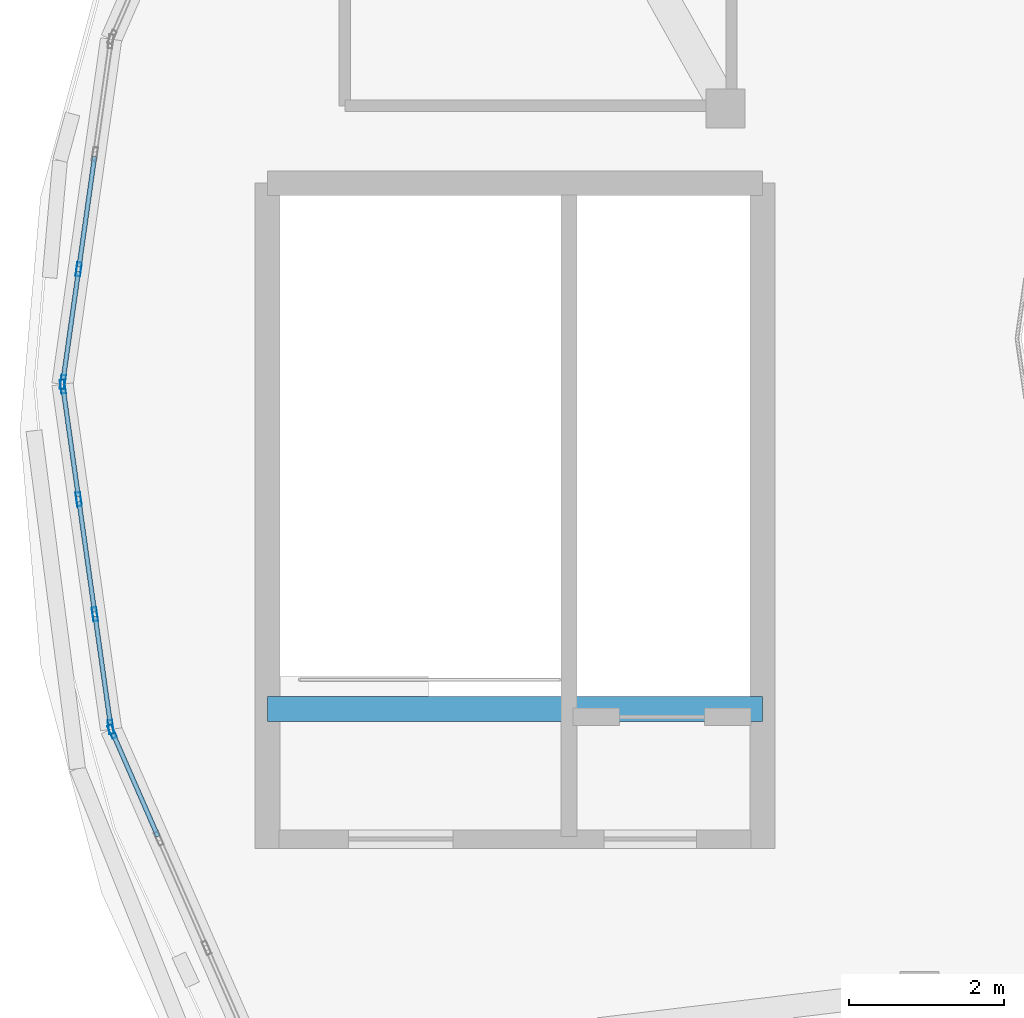
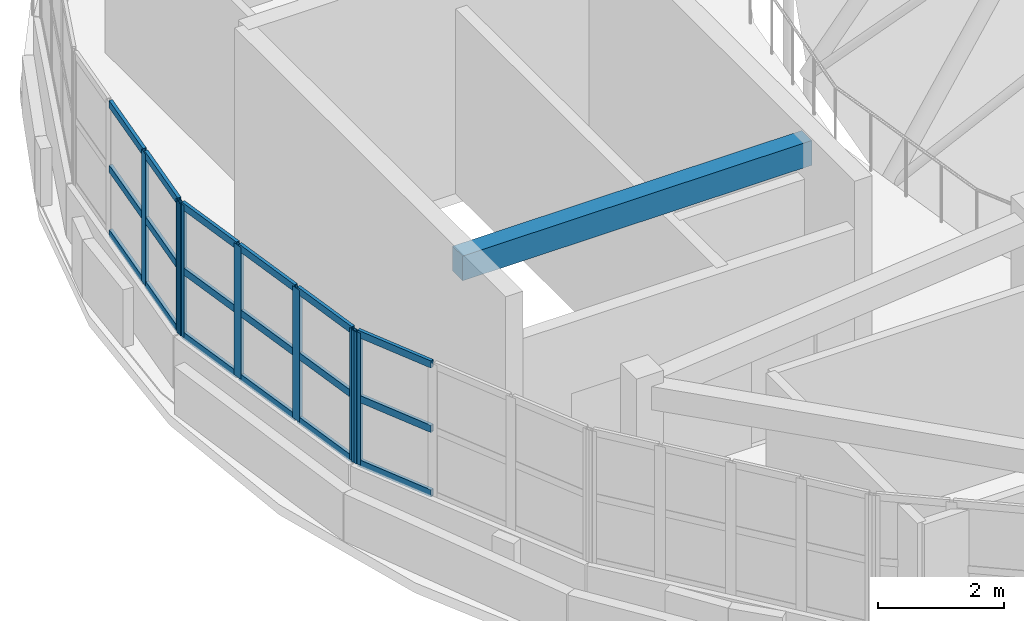
# One storey, part 8 of 38: 25 members, 1 beam, 3 elements without a shape of their own.
"""IFC4 building model written with IfcOpenShell, lengths in metres."""

from ifc_helpers import new_model, si_unit, direction, frame, origin, origin_2d, place, context, subcontext, project, spatial, rectangle, hollow_rectangle, extrude, material, layer, layer_set, material_profile, profile_set, type_object, element, aggregate, save


model = new_model("IFC4")

# Units and contexts
model_context = context("Model", 3, precision=1e-05, world=origin(), true_north=direction((0.0, 1.0)))
body_context = subcontext(model_context, "Body", "Model", "MODEL_VIEW")
ifc_project = project(units=[si_unit("LENGTHUNIT", "METRE"), si_unit("AREAUNIT", "SQUARE_METRE"), si_unit("VOLUMEUNIT", "CUBIC_METRE"), si_unit("PLANEANGLEUNIT", "RADIAN"), si_unit("MASSUNIT", "GRAM", prefix="KILO")], contexts=[model_context])

# Site, building, storey
site_placement = place(None, origin())
site = spatial("IfcSite", under=ifc_project, at=site_placement, CompositionType="ELEMENT")
building_placement = place(site_placement, origin())
building = spatial("IfcBuilding", under=site, at=building_placement, Name="Pelvatis Terrace Science Centre", CompositionType="ELEMENT")
storey_placement = place(building_placement, frame((0.0, 0.0, 24.300048828125)))
storey = spatial("IfcBuildingStorey", under=building, at=storey_placement, Name="L05", CompositionType="ELEMENT", Elevation=24.300048828125)

# Beam
ifc_material_1 = material(Name="Concrete C35/45", Category="concrete")
ifc_material_profile_1 = material_profile(ifc_material_1, rectangle(XDim=0.320068359375, YDim=0.47998046875, at=origin_2d()), Name="RC-BM 320x480")
ifc_profile_set_1 = profile_set([ifc_material_profile_1], Name="Concrete C35/45")
beam_type = type_object("IfcBeamType", Name="BM-RC-320x480", PredefinedType="BEAM", material=ifc_profile_set_1)
beam_placement = place(storey_placement, frame((86.800048828125, 81.0, 4.0), z_axis=(1.0, 0.0, 0.0), x_axis=(0.0, 1.0, 0.0)))
element("IfcBeam", 1, at=beam_placement, inside=storey, type_object=beam_type, Name="Core C1 stair header beam (L05)", PredefinedType="BEAM", context=body_context, shape_type="SweptSolid", body=[
    extrude(rectangle(XDim=0.320068359375, YDim=0.47998046875, at=origin_2d()), origin(), (0.0, 0.0, 1.0), 6.39990234375),
])

# Curtain wall, members
ifc_material_2 = material(Name="Bronze-anodised aluminium and laminated glass", Category="aluminium")
ifc_layer = layer(ifc_material_2, 0.179931640625)
ifc_layer_set = layer_set([ifc_layer], Name="Bronze-anodised aluminium and laminated glass")
curtain_wall_type = type_object("IfcCurtainWallType", Name="CW-RIBBON-A", PredefinedType="NOTDEFINED", material=ifc_layer_set)
curtain_wall_1_placement = place(storey_placement, origin())
curtain_wall_1 = element("IfcCurtainWall", 2, at=curtain_wall_1_placement, inside=storey, type_object=curtain_wall_type, Name="Ribbon curtain wall CW-250 (L05)", PredefinedType="NOTDEFINED")
ifc_material_3 = material(Name="Bronze-anodised aluminium 6063-T6", Category="aluminium")
ifc_material_profile_2 = material_profile(ifc_material_3, hollow_rectangle(XDim=0.06005859375, YDim=0.179931640625, WallThickness=0.00390625, at=origin_2d()), Name="ALU-MUL 60x180")
ifc_profile_set_2 = profile_set([ifc_material_profile_2], Name="Bronze-anodised aluminium 6063-T6")
member_type_1 = type_object("IfcMemberType", Name="CWM-60x180", PredefinedType="MULLION", material=ifc_profile_set_2)
member_1_placement = place(storey_placement, frame((84.359375, 86.687255859375, 1.02001953125), z_axis=(0.0, 0.0, 1.0), x_axis=(0.990235094606, -0.139407522788, 0.0)))
member_1 = element("IfcMember", 3, at=member_1_placement, type_object=member_type_1, Name="CW-250 mullion 3", PredefinedType="MULLION", context=body_context, shape_type="SweptSolid", body=[
    extrude(hollow_rectangle(XDim=0.06005859375, YDim=0.179931640625, WallThickness=0.00390625, at=origin_2d()), origin(), (0.0, 0.0, 1.0), 2.559814453125),
])
member_2_placement = place(storey_placement, frame((84.154296875, 85.229736328125, 1.02001953125), z_axis=(0.0, 0.0, 1.0), x_axis=(0.990235094606, -0.139407522788, 0.0)))
member_2 = element("IfcMember", 4, at=member_2_placement, type_object=member_type_1, Name="CW-250 mullion 4", PredefinedType="MULLION", context=body_context, shape_type="SweptSolid", body=[
    extrude(hollow_rectangle(XDim=0.06005859375, YDim=0.179931640625, WallThickness=0.00390625, at=origin_2d()), origin(), (0.0, 0.0, 1.0), 2.559814453125),
])

curtain_wall_2_placement = place(storey_placement, origin())
curtain_wall_2 = element("IfcCurtainWall", 5, at=curtain_wall_2_placement, inside=storey, type_object=curtain_wall_type, Name="Ribbon curtain wall CW-251 (L05)", PredefinedType="NOTDEFINED")
member_3_placement = place(storey_placement, frame((84.154296875, 85.17041015625, 1.02001953125), z_axis=(0.0, 0.0, 1.0), x_axis=(0.990235094606, 0.139407522788, 0.0)))
member_3 = element("IfcMember", 6, at=member_3_placement, type_object=member_type_1, Name="CW-251 mullion 1", PredefinedType="MULLION", context=body_context, shape_type="SweptSolid", body=[
    extrude(hollow_rectangle(XDim=0.06005859375, YDim=0.179931640625, WallThickness=0.00390625, at=origin_2d()), origin(), (0.0, 0.0, 1.0), 2.559814453125),
])
member_4_placement = place(storey_placement, frame((84.359375, 83.712890625, 1.02001953125), z_axis=(0.0, 0.0, 1.0), x_axis=(0.990235094606, 0.139407522788, 0.0)))
member_4 = element("IfcMember", 7, at=member_4_placement, type_object=member_type_1, Name="CW-251 mullion 2", PredefinedType="MULLION", context=body_context, shape_type="SweptSolid", body=[
    extrude(hollow_rectangle(XDim=0.06005859375, YDim=0.179931640625, WallThickness=0.00390625, at=origin_2d()), origin(), (0.0, 0.0, 1.0), 2.559814453125),
])
member_5_placement = place(storey_placement, frame((84.56884765625, 82.2255859375, 1.02001953125), z_axis=(0.0, 0.0, 1.0), x_axis=(0.990235094606, 0.139407522788, 0.0)))
member_5 = element("IfcMember", 8, at=member_5_placement, type_object=member_type_1, Name="CW-251 mullion 3", PredefinedType="MULLION", context=body_context, shape_type="SweptSolid", body=[
    extrude(hollow_rectangle(XDim=0.06005859375, YDim=0.179931640625, WallThickness=0.00390625, at=origin_2d()), origin(), (0.0, 0.0, 1.0), 2.559814453125),
])
member_6_placement = place(storey_placement, frame((84.77392578125, 80.768310546875, 1.02001953125), z_axis=(0.0, 0.0, 1.0), x_axis=(0.990235094606, 0.139407522788, 0.0)))
member_6 = element("IfcMember", 9, at=member_6_placement, type_object=member_type_1, Name="CW-251 mullion 4", PredefinedType="MULLION", context=body_context, shape_type="SweptSolid", body=[
    extrude(hollow_rectangle(XDim=0.06005859375, YDim=0.179931640625, WallThickness=0.00390625, at=origin_2d()), origin(), (0.0, 0.0, 1.0), 2.559814453125),
])

# Curtain wall, member
curtain_wall_3_placement = place(storey_placement, origin())
curtain_wall_3 = element("IfcCurtainWall", 10, at=curtain_wall_3_placement, inside=storey, type_object=curtain_wall_type, Name="Ribbon curtain wall CW-252 (L05)", PredefinedType="NOTDEFINED")
member_7_placement = place(storey_placement, frame((84.7900390625, 80.7109375, 1.02001953125), z_axis=(0.0, 0.0, 1.0), x_axis=(0.916274899341, 0.400550007911, 0.0)))
member_7 = element("IfcMember", 11, at=member_7_placement, type_object=member_type_1, Name="CW-252 mullion 1", PredefinedType="MULLION", context=body_context, shape_type="SweptSolid", body=[
    extrude(hollow_rectangle(XDim=0.06005859375, YDim=0.179931640625, WallThickness=0.00390625, at=origin_2d()), origin(), (0.0, 0.0, 1.0), 2.559814453125),
])

# Member
ifc_material_4 = material(Name="Bronze-anodised aluminium 6063-T6", Category="aluminium")
ifc_material_profile_3 = material_profile(ifc_material_4, hollow_rectangle(XDim=0.06005859375, YDim=0.139892578125, WallThickness=0.00390625, at=origin_2d()), Name="ALU-TRN 60x140")
ifc_profile_set_3 = profile_set([ifc_material_profile_3], Name="Bronze-anodised aluminium 6063-T6")
member_type_2 = type_object("IfcMemberType", Name="CWT-60x140", PredefinedType="USERDEFINED", material=ifc_profile_set_3)
member_8_placement = place(storey_placement, frame((84.564453125, 88.14453125, 1.050048828125), z_axis=(-0.139358609629, -0.990241979479, 0.0), x_axis=(0.990241979479, -0.139358609629, 0.0)))
member_8 = element("IfcMember", 12, at=member_8_placement, type_object=member_type_2, Name="CW-250 transom 2.1", ObjectType="TRANSOM", PredefinedType="USERDEFINED", context=body_context, shape_type="SweptSolid", body=[
    extrude(hollow_rectangle(XDim=0.06005859375, YDim=0.139892578125, WallThickness=0.00390625, at=origin_2d()), origin(), (0.0, 0.0, 1.0), 1.44189453125),
])

member_9_placement = place(storey_placement, frame((84.564453125, 88.14453125, 2.300048828125), z_axis=(-0.139358609629, -0.990241979479, 0.0), x_axis=(0.990241979479, -0.139358609629, 0.0)))
member_9 = element("IfcMember", 13, at=member_9_placement, type_object=member_type_2, Name="CW-250 transom 2.2", ObjectType="TRANSOM", PredefinedType="USERDEFINED", context=body_context, shape_type="SweptSolid", body=[
    extrude(hollow_rectangle(XDim=0.06005859375, YDim=0.139892578125, WallThickness=0.00390625, at=origin_2d()), origin(), (0.0, 0.0, 1.0), 1.44189453125),
])

member_10_placement = place(storey_placement, frame((84.564453125, 88.14453125, 3.550048828125), z_axis=(-0.139358609629, -0.990241979479, 0.0), x_axis=(0.990241979479, -0.139358609629, 0.0)))
member_10 = element("IfcMember", 14, at=member_10_placement, type_object=member_type_2, Name="CW-250 transom 2.3", ObjectType="TRANSOM", PredefinedType="USERDEFINED", context=body_context, shape_type="SweptSolid", body=[
    extrude(hollow_rectangle(XDim=0.06005859375, YDim=0.139892578125, WallThickness=0.00390625, at=origin_2d()), origin(), (0.0, 0.0, 1.0), 1.44189453125),
])

member_11_placement = place(storey_placement, frame((84.355224609375, 86.657470703125, 1.050048828125), z_axis=(-0.139387317291, -0.990237938971, 0.0), x_axis=(0.990237938971, -0.139387317291, 0.0)))
member_11 = element("IfcMember", 15, at=member_11_placement, type_object=member_type_2, Name="CW-250 transom 3.1", ObjectType="TRANSOM", PredefinedType="USERDEFINED", context=body_context, shape_type="SweptSolid", body=[
    extrude(hollow_rectangle(XDim=0.06005859375, YDim=0.139892578125, WallThickness=0.00390625, at=origin_2d()), origin(), (0.0, 0.0, 1.0), 1.41162109375),
])

member_12_placement = place(storey_placement, frame((84.355224609375, 86.657470703125, 2.300048828125), z_axis=(-0.139387317291, -0.990237938971, 0.0), x_axis=(0.990237938971, -0.139387317291, 0.0)))
member_12 = element("IfcMember", 16, at=member_12_placement, type_object=member_type_2, Name="CW-250 transom 3.2", ObjectType="TRANSOM", PredefinedType="USERDEFINED", context=body_context, shape_type="SweptSolid", body=[
    extrude(hollow_rectangle(XDim=0.06005859375, YDim=0.139892578125, WallThickness=0.00390625, at=origin_2d()), origin(), (0.0, 0.0, 1.0), 1.41162109375),
])

member_13_placement = place(storey_placement, frame((84.355224609375, 86.657470703125, 3.550048828125), z_axis=(-0.139387317291, -0.990237938971, 0.0), x_axis=(0.990237938971, -0.139387317291, 0.0)))
member_13 = element("IfcMember", 17, at=member_13_placement, type_object=member_type_2, Name="CW-250 transom 3.3", ObjectType="TRANSOM", PredefinedType="USERDEFINED", context=body_context, shape_type="SweptSolid", body=[
    extrude(hollow_rectangle(XDim=0.06005859375, YDim=0.139892578125, WallThickness=0.00390625, at=origin_2d()), origin(), (0.0, 0.0, 1.0), 1.41162109375),
])

aggregate(curtain_wall_1, [member_1, member_2, member_8, member_9, member_10, member_11, member_12, member_13])

member_14_placement = place(storey_placement, frame((84.158447265625, 85.140625, 1.050048828125), z_axis=(0.139363451414, -0.990241298073, 0.0), x_axis=(0.990241298073, 0.139363451414, 0.0)))
member_14 = element("IfcMember", 18, at=member_14_placement, type_object=member_type_2, Name="CW-251 transom 1.1", ObjectType="TRANSOM", PredefinedType="USERDEFINED", context=body_context, shape_type="SweptSolid", body=[
    extrude(hollow_rectangle(XDim=0.06005859375, YDim=0.139892578125, WallThickness=0.00390625, at=origin_2d()), origin(), (0.0, 0.0, 1.0), 1.411865234375),
])

member_15_placement = place(storey_placement, frame((84.158447265625, 85.140625, 2.300048828125), z_axis=(0.139363451414, -0.990241298073, 0.0), x_axis=(0.990241298073, 0.139363451414, 0.0)))
member_15 = element("IfcMember", 19, at=member_15_placement, type_object=member_type_2, Name="CW-251 transom 1.2", ObjectType="TRANSOM", PredefinedType="USERDEFINED", context=body_context, shape_type="SweptSolid", body=[
    extrude(hollow_rectangle(XDim=0.06005859375, YDim=0.139892578125, WallThickness=0.00390625, at=origin_2d()), origin(), (0.0, 0.0, 1.0), 1.411865234375),
])

member_16_placement = place(storey_placement, frame((84.158447265625, 85.140625, 3.550048828125), z_axis=(0.139363451414, -0.990241298073, 0.0), x_axis=(0.990241298073, 0.139363451414, 0.0)))
member_16 = element("IfcMember", 20, at=member_16_placement, type_object=member_type_2, Name="CW-251 transom 1.3", ObjectType="TRANSOM", PredefinedType="USERDEFINED", context=body_context, shape_type="SweptSolid", body=[
    extrude(hollow_rectangle(XDim=0.06005859375, YDim=0.139892578125, WallThickness=0.00390625, at=origin_2d()), origin(), (0.0, 0.0, 1.0), 1.411865234375),
])

member_17_placement = place(storey_placement, frame((84.363525390625, 83.68310546875, 1.050048828125), z_axis=(0.139358609629, -0.990241979479, 0.0), x_axis=(0.990241979479, 0.139358609629, 0.0)))
member_17 = element("IfcMember", 21, at=member_17_placement, type_object=member_type_2, Name="CW-251 transom 2.1", ObjectType="TRANSOM", PredefinedType="USERDEFINED", context=body_context, shape_type="SweptSolid", body=[
    extrude(hollow_rectangle(XDim=0.06005859375, YDim=0.139892578125, WallThickness=0.00390625, at=origin_2d()), origin(), (0.0, 0.0, 1.0), 1.44189453125),
])

member_18_placement = place(storey_placement, frame((84.363525390625, 83.68310546875, 2.300048828125), z_axis=(0.139358609629, -0.990241979479, 0.0), x_axis=(0.990241979479, 0.139358609629, 0.0)))
member_18 = element("IfcMember", 22, at=member_18_placement, type_object=member_type_2, Name="CW-251 transom 2.2", ObjectType="TRANSOM", PredefinedType="USERDEFINED", context=body_context, shape_type="SweptSolid", body=[
    extrude(hollow_rectangle(XDim=0.06005859375, YDim=0.139892578125, WallThickness=0.00390625, at=origin_2d()), origin(), (0.0, 0.0, 1.0), 1.44189453125),
])

member_19_placement = place(storey_placement, frame((84.363525390625, 83.68310546875, 3.550048828125), z_axis=(0.139358609629, -0.990241979479, 0.0), x_axis=(0.990241979479, 0.139358609629, 0.0)))
member_19 = element("IfcMember", 23, at=member_19_placement, type_object=member_type_2, Name="CW-251 transom 2.3", ObjectType="TRANSOM", PredefinedType="USERDEFINED", context=body_context, shape_type="SweptSolid", body=[
    extrude(hollow_rectangle(XDim=0.06005859375, YDim=0.139892578125, WallThickness=0.00390625, at=origin_2d()), origin(), (0.0, 0.0, 1.0), 1.44189453125),
])

member_20_placement = place(storey_placement, frame((84.572998046875, 82.196044921875, 1.050048828125), z_axis=(0.139363451414, -0.990241298073, 0.0), x_axis=(0.990241298073, 0.139363451414, 0.0)))
member_20 = element("IfcMember", 24, at=member_20_placement, type_object=member_type_2, Name="CW-251 transom 3.1", ObjectType="TRANSOM", PredefinedType="USERDEFINED", context=body_context, shape_type="SweptSolid", body=[
    extrude(hollow_rectangle(XDim=0.06005859375, YDim=0.139892578125, WallThickness=0.00390625, at=origin_2d()), origin(), (0.0, 0.0, 1.0), 1.411865234375),
])

member_21_placement = place(storey_placement, frame((84.572998046875, 82.196044921875, 2.300048828125), z_axis=(0.139363451414, -0.990241298073, 0.0), x_axis=(0.990241298073, 0.139363451414, 0.0)))
member_21 = element("IfcMember", 25, at=member_21_placement, type_object=member_type_2, Name="CW-251 transom 3.2", ObjectType="TRANSOM", PredefinedType="USERDEFINED", context=body_context, shape_type="SweptSolid", body=[
    extrude(hollow_rectangle(XDim=0.06005859375, YDim=0.139892578125, WallThickness=0.00390625, at=origin_2d()), origin(), (0.0, 0.0, 1.0), 1.411865234375),
])

member_22_placement = place(storey_placement, frame((84.572998046875, 82.196044921875, 3.550048828125), z_axis=(0.139363451414, -0.990241298073, 0.0), x_axis=(0.990241298073, 0.139363451414, 0.0)))
member_22 = element("IfcMember", 26, at=member_22_placement, type_object=member_type_2, Name="CW-251 transom 3.3", ObjectType="TRANSOM", PredefinedType="USERDEFINED", context=body_context, shape_type="SweptSolid", body=[
    extrude(hollow_rectangle(XDim=0.06005859375, YDim=0.139892578125, WallThickness=0.00390625, at=origin_2d()), origin(), (0.0, 0.0, 1.0), 1.411865234375),
])

aggregate(curtain_wall_2, [member_3, member_4, member_5, member_6, member_14, member_15, member_16, member_17, member_18, member_19, member_20, member_21, member_22])

member_23_placement = place(storey_placement, frame((84.80224609375, 80.68359375, 1.050048828125), z_axis=(0.40040416634, -0.916338640229, 0.0), x_axis=(0.916338640229, 0.40040416634, 0.0)))
member_23 = element("IfcMember", 27, at=member_23_placement, type_object=member_type_2, Name="CW-252 transom 1.1", ObjectType="TRANSOM", PredefinedType="USERDEFINED", context=body_context, shape_type="SweptSolid", body=[
    extrude(hollow_rectangle(XDim=0.06005859375, YDim=0.139892578125, WallThickness=0.00390625, at=origin_2d()), origin(), (0.0, 0.0, 1.0), 1.45166015625),
])

member_24_placement = place(storey_placement, frame((84.80224609375, 80.68359375, 2.300048828125), z_axis=(0.40040416634, -0.916338640229, 0.0), x_axis=(0.916338640229, 0.40040416634, 0.0)))
member_24 = element("IfcMember", 28, at=member_24_placement, type_object=member_type_2, Name="CW-252 transom 1.2", ObjectType="TRANSOM", PredefinedType="USERDEFINED", context=body_context, shape_type="SweptSolid", body=[
    extrude(hollow_rectangle(XDim=0.06005859375, YDim=0.139892578125, WallThickness=0.00390625, at=origin_2d()), origin(), (0.0, 0.0, 1.0), 1.45166015625),
])

member_25_placement = place(storey_placement, frame((84.80224609375, 80.68359375, 3.550048828125), z_axis=(0.40040416634, -0.916338640229, 0.0), x_axis=(0.916338640229, 0.40040416634, 0.0)))
member_25 = element("IfcMember", 29, at=member_25_placement, type_object=member_type_2, Name="CW-252 transom 1.3", ObjectType="TRANSOM", PredefinedType="USERDEFINED", context=body_context, shape_type="SweptSolid", body=[
    extrude(hollow_rectangle(XDim=0.06005859375, YDim=0.139892578125, WallThickness=0.00390625, at=origin_2d()), origin(), (0.0, 0.0, 1.0), 1.45166015625),
])

aggregate(curtain_wall_3, [member_7, member_23, member_24, member_25])

save(model, "model.ifc")
